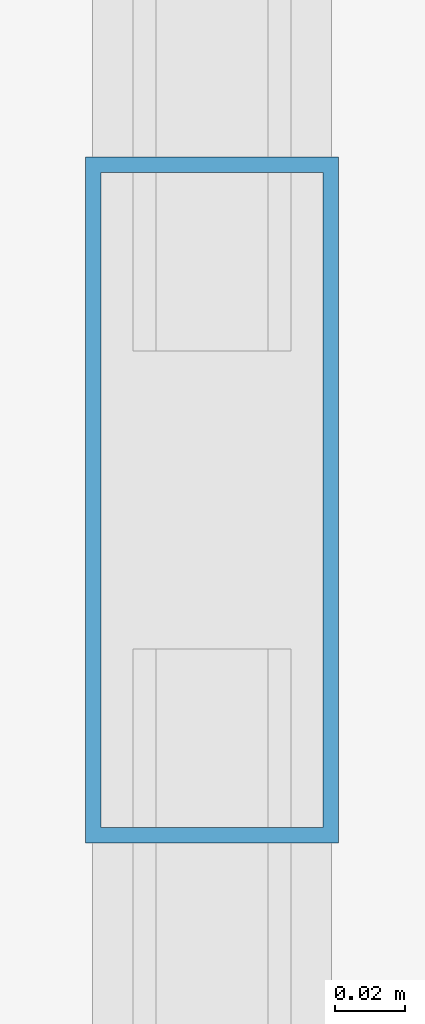
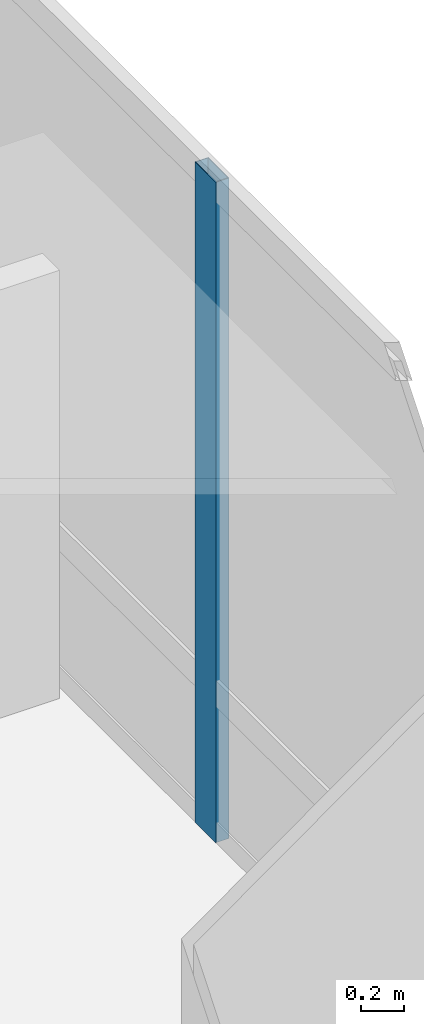
# One storey, part 19 of 46: 1 member, 1 element without a shape of its own.
"""IFC4 building model written with IfcOpenShell, lengths in metres."""

from ifc_helpers import new_model, si_unit, direction, frame, origin, origin_2d, place, context, subcontext, project, spatial, hollow_rectangle, extrude, material, material_profile, profile_set, type_object, element, aggregate, save


model = new_model("IFC4")

# Units and contexts
model_context = context("Model", 3, precision=1e-05, world=origin(), true_north=direction((0.0, 1.0)))
body_context = subcontext(model_context, "Body", "Model", "MODEL_VIEW")
ifc_project = project(units=[si_unit("LENGTHUNIT", "METRE"), si_unit("AREAUNIT", "SQUARE_METRE"), si_unit("VOLUMEUNIT", "CUBIC_METRE"), si_unit("PLANEANGLEUNIT", "RADIAN"), si_unit("MASSUNIT", "GRAM", prefix="KILO")], contexts=[model_context])

# Site, building, storey
site_placement = place(None, origin())
site = spatial("IfcSite", under=ifc_project, at=site_placement, CompositionType="ELEMENT")
building_placement = place(site_placement, origin())
building = spatial("IfcBuilding", under=site, at=building_placement, Name="Punatoya Terracotta Tower", CompositionType="ELEMENT")
storey_placement = place(building_placement, frame((0.0, 0.0, 200.550048828125)))
storey = spatial("IfcBuildingStorey", under=building, at=storey_placement, Name="L47", CompositionType="ELEMENT", Elevation=200.550048828125)

# Curtain wall, member
ifc_material_1 = material(Name="Aluminium 6063-T6 + Double Low-E Glass", Category="aluminium")
curtain_wall_type = type_object("IfcCurtainWallType", Name="CW-M2", PredefinedType="NOTDEFINED", material=ifc_material_1)
curtain_wall_placement = place(storey_placement, origin())
curtain_wall = element("IfcCurtainWall", 1, at=curtain_wall_placement, inside=storey, type_object=curtain_wall_type, Name="L47 Curtain Wall CW-L47-E05-1", PredefinedType="NOTDEFINED")
ifc_material_2 = material(Name="Aluminium 6063-T6", Category="aluminium")
ifc_material_profile = material_profile(ifc_material_2, hollow_rectangle(XDim=0.072021484375, YDim=0.195068359375, WallThickness=0.00439453125, at=origin_2d()))
ifc_profile_set = profile_set([ifc_material_profile], Name="Aluminium 6063-T6")
member_type = type_object("IfcMemberType", Name="CW-MUL-M2", PredefinedType="MULLION", material=ifc_profile_set)
member_placement = place(storey_placement, frame((20.050048828125, 6.67138671875, 0.0), z_axis=(0.0, 0.0, 1.0), x_axis=(1.0, 0.0, 0.0)))
member = element("IfcMember", 2, at=member_placement, type_object=member_type, Name="CW-L47-E05-1 Mullion 06", PredefinedType="MULLION", context=body_context, shape_type="SweptSolid", body=[
    extrude(hollow_rectangle(XDim=0.072021484375, YDim=0.195068359375, WallThickness=0.00439453125, at=origin_2d()), origin(), (0.0, 0.0, 1.0), 3.77001953125),
])
aggregate(curtain_wall, [member])

save(model, "model.ifc")
